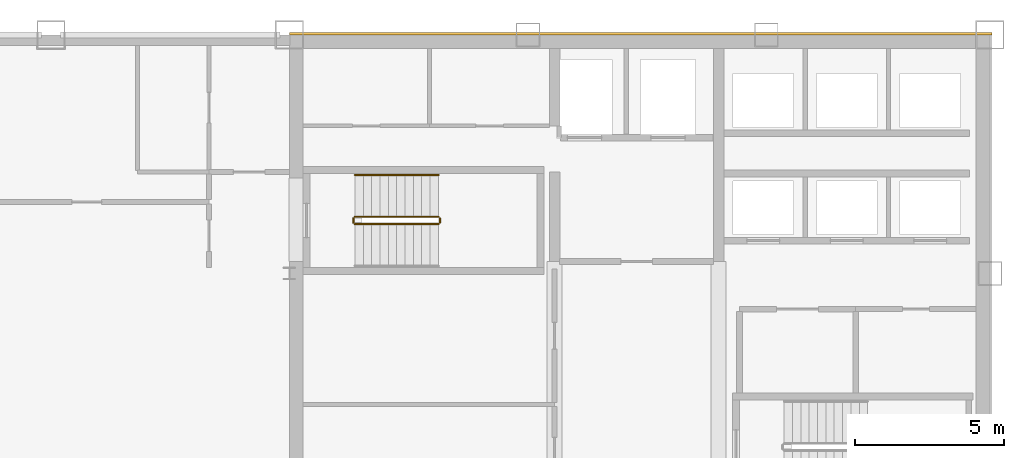
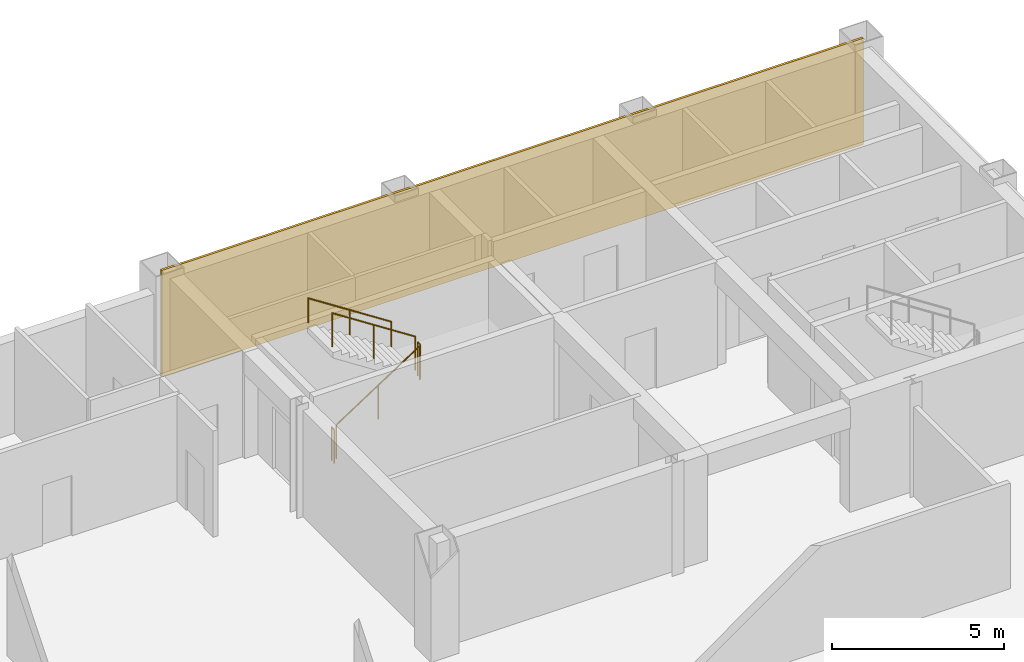
# One storey, part 10 of 10: 5 railings, 1 covering.
"""IFC4 building model written with IfcOpenShell, lengths in metres."""

from ifc_helpers import new_model, si_unit, direction, frame, origin, origin_2d, place, context, subcontext, project, spatial, rectangle, circle, extrude, material, layer, layer_set, type_object, element, save


model = new_model("IFC4")

# Units and contexts
model_context = context("Model", 3, precision=1e-05, world=origin(), true_north=direction((0.0, 1.0)))
body_context = subcontext(model_context, "Body", "Model", "MODEL_VIEW")
ifc_project = project(units=[si_unit("LENGTHUNIT", "METRE"), si_unit("AREAUNIT", "SQUARE_METRE"), si_unit("VOLUMEUNIT", "CUBIC_METRE"), si_unit("PLANEANGLEUNIT", "RADIAN"), si_unit("MASSUNIT", "GRAM", prefix="KILO")], contexts=[model_context])

# Site, building, storey
site_placement = place(None, origin())
site = spatial("IfcSite", under=ifc_project, at=site_placement, CompositionType="ELEMENT")
building_placement = place(site_placement, origin())
building = spatial("IfcBuilding", under=site, at=building_placement, Name="Qianrong Seaharbour Tower", CompositionType="ELEMENT")
storey_placement = place(building_placement, frame((0.0, 0.0, 233.800048828125)))
storey = spatial("IfcBuildingStorey", under=building, at=storey_placement, Name="L56", CompositionType="ELEMENT", Elevation=233.800048828125)

# Covering
ifc_material_1 = material(Name="Unitised red brick cladding on Precast concrete C45/55", Category="masonry")
ifc_layer = layer(ifc_material_1, 0.080078125)
ifc_layer_set = layer_set([ifc_layer], Name="Unitised red brick cladding on Precast concrete C45/55")
covering_type = type_object("IfcCoveringType", Name="COV-CLAD-RED-BRICK-80", PredefinedType="CLADDING", material=ifc_layer_set)
covering_placement = place(storey_placement, frame((52.2900390625, 52.0400390625, 0.0), z_axis=(0.0, 0.0, 1.0), x_axis=(1.0, 0.0, 0.0)))
element("IfcCovering", 1, at=covering_placement, inside=storey, type_object=covering_type, Name="L56 North Core Brick Veneer Cladding", PredefinedType="CLADDING", context=body_context, shape_type="SweptSolid", body=[
    extrude(rectangle(XDim=23.580078125, YDim=0.080078125, at=origin_2d()), origin(), (0.0, 0.0, 1.0), 3.77490234375),
])

# Railings
ifc_material_2 = material(Name="Galvanized painted steel SN400B stair guard", Category="steel")
railing_type_1 = type_object("IfcRailingType", Name="RAIL-STAIR-GUARD-1220", PredefinedType="GUARDRAIL", material=ifc_material_2)
railing_1_placement = place(storey_placement, frame((42.699951171875, 45.64990234375, 0.181884765625)))
element("IfcRailing", 2, at=railing_1_placement, inside=storey, type_object=railing_type_1, Name="L56 ST-1 stair guard 1", PredefinedType="GUARDRAIL", context=body_context, shape_type="SweptSolid", body=[
    extrude(circle(Radius=0.02392578125, at=origin_2d()), frame((0.0, 0.0, 1.19580078125), z_axis=(0.838705829183, 0.0, 0.544584733623), x_axis=(0.0, 1.0, 0.0)), (0.0, 0.0, 1.0), 3.338623046875),
    extrude(circle(Radius=0.02099609375, at=origin_2d()), origin(), (0.0, 0.0, 1.0), 1.171875),
    extrude(circle(Radius=0.02099609375, at=origin_2d()), frame((1.39990234375, 0.0, 0.9091796875)), (0.0, 0.0, 1.0), 1.171875),
    extrude(circle(Radius=0.02099609375, at=origin_2d()), frame((2.800048828125, 0.0, 1.818115234375)), (0.0, 0.0, 1.0), 1.171875),
])
railing_2_placement = place(storey_placement, frame((45.550048828125, 45.699951171875, 2.0)))
element("IfcRailing", 3, at=railing_2_placement, inside=storey, type_object=railing_type_1, Name="L56 ST-1 stair guard 2", PredefinedType="GUARDRAIL", context=body_context, shape_type="SweptSolid", body=[
    extrude(circle(Radius=0.02392578125, at=origin_2d()), frame((0.0, 0.0, 1.19580078125), z_axis=(0.0, 1.0, 0.0), x_axis=(-1.0, 0.0, 0.0)), (0.0, 0.0, 1.0), 0.150146484375),
    extrude(circle(Radius=0.02099609375, at=origin_2d()), origin(), (0.0, 0.0, 1.0), 1.171875),
    extrude(circle(Radius=0.02099609375, at=origin_2d()), frame((0.0, 0.150146484375, 0.0)), (0.0, 0.0, 1.0), 1.171875),
])
railing_3_placement = place(storey_placement, frame((45.5, 45.89990234375, 2.181884765625)))
element("IfcRailing", 4, at=railing_3_placement, inside=storey, type_object=railing_type_1, Name="L56 ST-1 stair guard 3", PredefinedType="GUARDRAIL", context=body_context, shape_type="SweptSolid", body=[
    extrude(circle(Radius=0.02392578125, at=origin_2d()), frame((0.0, 0.0, 1.19580078125), z_axis=(-0.838705829183, 0.0, 0.544584733623), x_axis=(0.0, -1.0, 0.0)), (0.0, 0.0, 1.0), 3.338623046875),
    extrude(circle(Radius=0.02099609375, at=origin_2d()), origin(), (0.0, 0.0, 1.0), 1.171875),
    extrude(circle(Radius=0.02099609375, at=origin_2d()), frame((-1.39990234375, 0.0, 0.9091796875)), (0.0, 0.0, 1.0), 1.171875),
    extrude(circle(Radius=0.02099609375, at=origin_2d()), frame((-2.800048828125, 0.0, 1.818115234375)), (0.0, 0.0, 1.0), 1.171875),
])
railing_4_placement = place(storey_placement, frame((42.64990234375, 45.699951171875, 0.0)))
element("IfcRailing", 5, at=railing_4_placement, inside=storey, type_object=railing_type_1, Name="L56 ST-1 stair guard 4", PredefinedType="GUARDRAIL", context=body_context, shape_type="SweptSolid", body=[
    extrude(circle(Radius=0.02392578125, at=origin_2d()), frame((0.0, 0.0, 1.19580078125), z_axis=(0.0, 1.0, 0.0), x_axis=(-1.0, 0.0, 0.0)), (0.0, 0.0, 1.0), 0.150146484375),
    extrude(circle(Radius=0.02099609375, at=origin_2d()), origin(), (0.0, 0.0, 1.0), 1.171875),
    extrude(circle(Radius=0.02099609375, at=origin_2d()), frame((0.0, 0.150146484375, 0.0)), (0.0, 0.0, 1.0), 1.171875),
])
ifc_material_3 = material(Name="Stainless steel SUS316L continuous handrail", Category="steel")
railing_type_2 = type_object("IfcRailingType", Name="RAIL-STAIR-HANDRAIL-900", PredefinedType="HANDRAIL", material=ifc_material_3)
railing_5_placement = place(storey_placement, frame((45.5, 47.300048828125, 2.181884765625)))
element("IfcRailing", 6, at=railing_5_placement, inside=storey, type_object=railing_type_2, Name="L56 ST-1 stair handrail 2", PredefinedType="HANDRAIL", context=body_context, shape_type="SweptSolid", body=[
    extrude(circle(Radius=0.02392578125, at=origin_2d()), frame((0.0, 0.0, 0.8759765625), z_axis=(-0.838705829183, 0.0, 0.544584733623), x_axis=(0.0, -1.0, 0.0)), (0.0, 0.0, 1.0), 3.338623046875),
    extrude(circle(Radius=0.02099609375, at=origin_2d()), origin(), (0.0, 0.0, 1.0), 0.851806640625),
    extrude(circle(Radius=0.02099609375, at=origin_2d()), frame((-1.39990234375, 0.0, 0.9091796875)), (0.0, 0.0, 1.0), 0.851806640625),
    extrude(circle(Radius=0.02099609375, at=origin_2d()), frame((-2.800048828125, 0.0, 1.818115234375)), (0.0, 0.0, 1.0), 0.851806640625),
])

save(model, "model.ifc")
